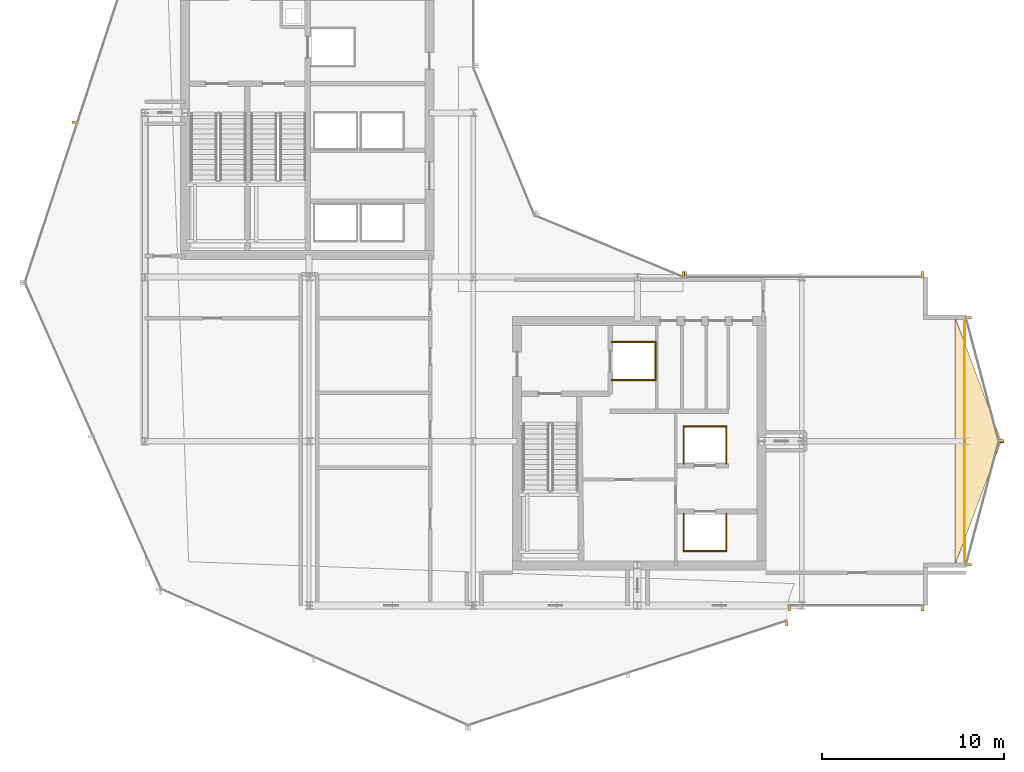
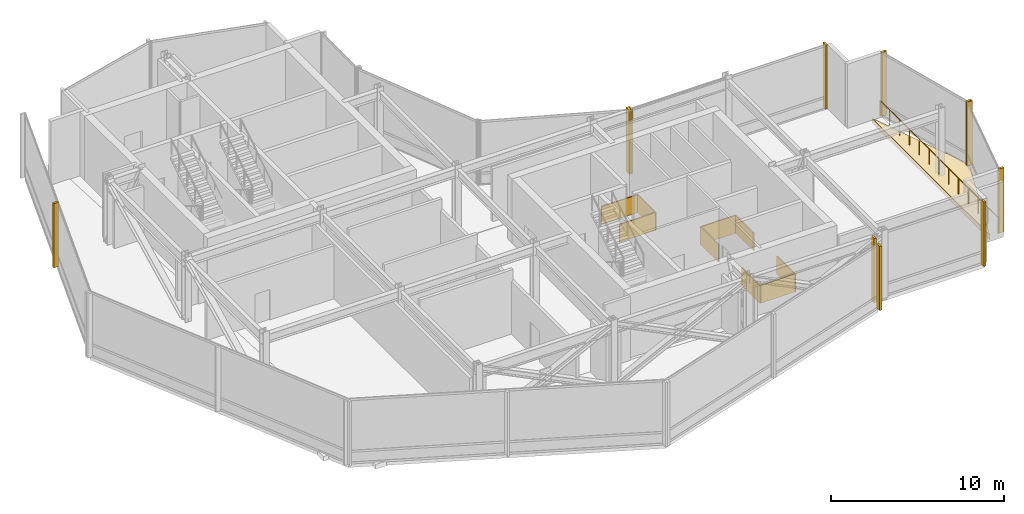
# One storey, part 29 of 30: 11 shading devices, 10 coverings, 1 railing.
"""IFC4 building model written with IfcOpenShell, lengths in metres."""

import ifcopenshell
import ifcopenshell.guid

model = None  # the IFC model being written
_history = None  # IfcOwnerHistory: only IFC2X3 demands one
_inside = {}  # id of a spatial element -> (the spatial element, [elements in it])
_under = {}  # id of a project, library or spatial element -> (it, [spatial elements below it])
_declared = {}  # id of a project -> (the project, [libraries it declares])
_typed = {}  # id of a type object -> (the type object, [elements of that type])
_made_of = {}  # id of a material, layer set ... -> (it, [elements and type objects made of it])


def new_model(schema):
    """Start an empty IFC model of exactly this schema.

    Asked for "IFC4X3", IfcOpenShell would pick the latest addendum, in which some entities
    have other attributes; the version numbers below select the first issue.
    IFC2X3 requires an IfcOwnerHistory on every rooted entity: one is made here for all.
    """
    global model, _history
    if schema == "IFC4X3":
        model = ifcopenshell.file(schema_version=(4, 3, 0, 0))
    else:
        model = ifcopenshell.file(schema=schema)
    _inside.clear()
    _under.clear()
    _declared.clear()
    _typed.clear()
    _made_of.clear()
    _history = None
    if model.schema == "IFC2X3":
        org = make("IfcOrganization", Name="unknown")
        user = make(
            "IfcPersonAndOrganization",
            ThePerson=make("IfcPerson", FamilyName="unknown"),
            TheOrganization=org,
        )
        app = make(
            "IfcApplication",
            ApplicationDeveloper=org,
            Version="unknown",
            ApplicationFullName="unknown",
            ApplicationIdentifier="unknown",
        )
        _history = make(
            "IfcOwnerHistory",
            OwningUser=user,
            OwningApplication=app,
            ChangeAction="ADDED",
            CreationDate=0,
        )
    return model


def make(cls, **values):
    """One entity of the class cls with the attributes given. An attribute that is None is left unset."""
    return model.create_entity(
        cls, **{name: value for name, value in values.items() if value is not None}
    )


def rooted(cls, **values):
    """An entity with a GlobalId (a new one), such as an element, a storey or a relation."""
    return make(cls, GlobalId=ifcopenshell.guid.new(), OwnerHistory=_history, **values)


def si_unit(unit_type, name, prefix=None):
    """IfcSIUnit, for example si_unit("LENGTHUNIT", "METRE", prefix="MILLI")."""
    return make("IfcSIUnit", UnitType=unit_type, Prefix=prefix, Name=name)


def assignment(units):
    """IfcUnitAssignment: the units of a project."""
    return None if units is None else make("IfcUnitAssignment", Units=units)


def point(xyz):
    """IfcCartesianPoint."""
    return None if xyz is None else make("IfcCartesianPoint", Coordinates=xyz)


def direction(xyz):
    """IfcDirection."""
    return None if xyz is None else make("IfcDirection", DirectionRatios=xyz)


def frame(location, z_axis=None, x_axis=None):
    """IfcAxis2Placement3D, a coordinate frame: its origin and axes. An axis left out is left unset."""
    return make(
        "IfcAxis2Placement3D",
        Location=point(location),
        Axis=direction(z_axis),
        RefDirection=direction(x_axis),
    )


def frame_2d(location, x_axis=None):
    """IfcAxis2Placement2D, a coordinate frame in the plane: its origin and x axis."""
    return make(
        "IfcAxis2Placement2D", Location=point(location), RefDirection=direction(x_axis)
    )


def origin():
    """The frame at (0, 0, 0) with its axes left unset."""
    return frame((0.0, 0.0, 0.0))


def origin_2d():
    """The frame at (0, 0) in the plane with its x axis left unset."""
    return frame_2d((0.0, 0.0))


def place(relative_to, where):
    """IfcLocalPlacement: puts the frame where relative to a parent placement (None: the world)."""
    return make(
        "IfcLocalPlacement", PlacementRelTo=relative_to, RelativePlacement=where
    )


def context(
    kind, dimensions, precision=None, world=None, true_north=None, identifier=None
):
    """IfcGeometricRepresentationContext, for example the 3D "Model" context."""
    return make(
        "IfcGeometricRepresentationContext",
        ContextIdentifier=identifier,
        ContextType=kind,
        CoordinateSpaceDimension=dimensions,
        Precision=precision,
        WorldCoordinateSystem=world,
        TrueNorth=true_north,
    )


def subcontext(parent, identifier, kind, view, scale=None):
    """IfcGeometricRepresentationSubContext, for example "Body" below "Model"."""
    return make(
        "IfcGeometricRepresentationSubContext",
        ContextIdentifier=identifier,
        ContextType=kind,
        ParentContext=parent,
        TargetScale=scale,
        TargetView=view,
    )


def project(units=None, contexts=None):
    """IfcProject with its units and contexts."""
    return rooted(
        "IfcProject",
        Name="project",
        RepresentationContexts=contexts,
        UnitsInContext=assignment(units),
    )


def spatial(cls, under=None, at=None, **own):
    """A site, building, storey or space (cls), placed at a placement, below another one or the project."""
    s = rooted(cls, ObjectPlacement=at, **own)
    if under is not None:
        _under.setdefault(under.id(), (under, []))[1].append(s)
    return s


def polyline(points):
    """IfcPolyline through the points."""
    return make("IfcPolyline", Points=[point(p) for p in points])


def profile(cls, at=None, kind="AREA", **sizes):
    """A parametric profile (cls). Its sizes go by their IFC names, for example OverallWidth=200.0."""
    return make(cls, ProfileType=kind, Position=at, **sizes)


def rectangle(**sizes):
    """IfcRectangleProfileDef."""
    return profile("IfcRectangleProfileDef", **sizes)


def circle(**sizes):
    """IfcCircleProfileDef."""
    return profile("IfcCircleProfileDef", **sizes)


def outline(outer, holes=None, kind="AREA"):
    """IfcArbitraryClosedProfileDef: a profile drawn as a closed curve; with holes, ...WithVoids."""
    if holes is None:
        return make("IfcArbitraryClosedProfileDef", ProfileType=kind, OuterCurve=outer)
    return make(
        "IfcArbitraryProfileDefWithVoids",
        ProfileType=kind,
        OuterCurve=outer,
        InnerCurves=holes,
    )


def extrude(swept, where, along, depth):
    """IfcExtrudedAreaSolid: the profile swept, set in the frame where, extruded along a direction by depth."""
    return make(
        "IfcExtrudedAreaSolid",
        SweptArea=swept,
        Position=where,
        ExtrudedDirection=direction(along),
        Depth=depth,
    )


def shape(context_of_items, identifier, shape_type, items):
    """IfcShapeRepresentation: the items that make up one representation, for example the "Body"."""
    return make(
        "IfcShapeRepresentation",
        ContextOfItems=context_of_items,
        RepresentationIdentifier=identifier,
        RepresentationType=shape_type,
        Items=items,
    )


def material(Name=None, Category=None):
    """IfcMaterial."""
    return make("IfcMaterial", Name=Name, Category=Category)


def layer(
    of_material, thickness, ventilated=None, Name=None, Category=None, Priority=None
):
    """IfcMaterialLayer: one layer of a wall or slab, of a material (None: an air gap)."""
    return make(
        "IfcMaterialLayer",
        Material=of_material,
        LayerThickness=thickness,
        IsVentilated=ventilated,
        Name=Name,
        Category=Category,
        Priority=Priority,
    )


def layer_set(layers, Name=None):
    """IfcMaterialLayerSet."""
    return make("IfcMaterialLayerSet", MaterialLayers=layers, LayerSetName=Name)


def made_of(thing, what):
    """Note that an element or type object is made of a material, layer set ...; save() writes the relation."""
    if what is not None:
        _made_of.setdefault(what.id(), (what, []))[1].append(thing)
    return thing


def type_object(cls, material=None, **own):
    """A type object (cls), such as IfcWallType, which elements share."""
    return made_of(rooted(cls, **own), material)


def element(
    cls,
    number,
    at=None,
    inside=None,
    cuts=None,
    type_object=None,
    material=None,
    context=None,
    identifier="Body",
    shape_type=None,
    held_by="IfcProductDefinitionShape",
    body=None,
    shapes=None,
    **own,
):
    """One element of the class cls, such as IfcWall. Its Tag is "e" and its number.

    at: its placement. inside: the storey or other place that contains it. cuts: it is an
    opening in that element (IfcRelVoidsElement). A single representation is given by context,
    identifier, shape_type and body (its items); several are given by shapes. held_by: the class
    of the entity that holds the representations. save() writes the other relations.
    """
    e = rooted(cls, Tag="e%d" % number, ObjectPlacement=at, **own)
    if body is not None:
        shapes = [shape(context, identifier, shape_type, body)]
    if shapes is not None:
        e.Representation = make(held_by, Representations=shapes)
    if inside is not None:
        _inside.setdefault(inside.id(), (inside, []))[1].append(e)
    if cuts is not None:
        rooted(
            "IfcRelVoidsElement", RelatingBuildingElement=cuts, RelatedOpeningElement=e
        )
    if type_object is not None:
        _typed.setdefault(type_object.id(), (type_object, []))[1].append(e)
    return made_of(e, material)


def aggregate(whole, parts):
    """IfcRelAggregates: a whole, such as a stair, and the parts it consists of."""
    return rooted("IfcRelAggregates", RelatingObject=whole, RelatedObjects=parts)


def save(model, path):
    """Write the relations noted so far, then the file.

    IfcRelAggregates (storeys below a building ...), IfcRelContainedInSpatialStructure (elements
    in a storey), IfcRelDefinesByType, IfcRelAssociatesMaterial and IfcRelDeclares: one each for
    every whole, place, type object, material and project.
    """
    for whole, parts in _under.values():
        aggregate(whole, parts)
    for where, things in _inside.values():
        rooted(
            "IfcRelContainedInSpatialStructure",
            RelatedElements=things,
            RelatingStructure=where,
        )
    for kind, things in _typed.values():
        rooted("IfcRelDefinesByType", RelatedObjects=things, RelatingType=kind)
    for what, things in _made_of.values():
        rooted("IfcRelAssociatesMaterial", RelatedObjects=things, RelatingMaterial=what)
    for by, libraries in _declared.values():
        rooted("IfcRelDeclares", RelatingContext=by, RelatedDefinitions=libraries)
    model.write(path)


model = new_model("IFC4")

# Units and contexts
model_context = context("Model", 3, precision=1e-05, world=origin(), true_north=direction((0.0, 1.0)))
body_context = subcontext(model_context, "Body", "Model", "MODEL_VIEW")
ifc_project = project(units=[si_unit("LENGTHUNIT", "METRE"), si_unit("AREAUNIT", "SQUARE_METRE"), si_unit("VOLUMEUNIT", "CUBIC_METRE"), si_unit("PLANEANGLEUNIT", "RADIAN"), si_unit("MASSUNIT", "GRAM", prefix="KILO")], contexts=[model_context])

# Site, building, storey
site_placement = place(None, origin())
site = spatial("IfcSite", under=ifc_project, at=site_placement, CompositionType="ELEMENT")
building_placement = place(site_placement, origin())
building = spatial("IfcBuilding", under=site, at=building_placement, Name="Solvaryn Broadcast Tower", CompositionType="ELEMENT")
storey_placement = place(building_placement, frame((0.0, 0.0, 196.39990234375)))
storey = spatial("IfcBuildingStorey", under=building, at=storey_placement, Name="L49", CompositionType="ELEMENT", Elevation=196.39990234375)

# Coverings
ifc_material_1 = material(Name="Fire-Rated Gypsum Shaftwall Liner", Category="concrete")
ifc_layer_1 = layer(ifc_material_1, 0.080078125)
ifc_layer_set_1 = layer_set([ifc_layer_1], Name="CV-SHAFT-LINER")
covering_type_1 = type_object("IfcCoveringType", Name="CV-SHAFT-LINER", PredefinedType="CLADDING", material=ifc_layer_set_1)
for number, where, z_axis, x_axis, name in (
    (1, (35.800048828125, 23.43994140625, 0.0), (0.0, 0.0, 1.0), (1.0, 0.0, 0.0), "L49 FL2 Hoistway Shaft Liner North"),
    (2, (35.800048828125, 21.360107421875, 0.0), (0.0, 0.0, 1.0), (1.0, 0.0, 0.0), "L49 FL2 Hoistway Shaft Liner South"),
):
    element("IfcCovering", number, at=place(storey_placement, frame(where, z_axis=z_axis, x_axis=x_axis)), inside=storey, type_object=covering_type_1, Name=name, PredefinedType="CLADDING", context=body_context, shape_type="SweptSolid", body=[
        extrude(rectangle(XDim=2.4599609375, YDim=0.080078125, at=origin_2d()), origin(), (0.0, 0.0, 1.0), 1.25),
    ])
covering_1_placement = place(storey_placement, frame((36.989990234375, 22.39990234375, 0.0), z_axis=(0.0, 0.0, 1.0), x_axis=(1.0, 0.0, 0.0)))
element("IfcCovering", 3, at=covering_1_placement, inside=storey, type_object=covering_type_1, Name="L49 FL2 Hoistway Shaft Liner East", PredefinedType="CLADDING", context=body_context, shape_type="SweptSolid", body=[
    extrude(rectangle(XDim=0.080078125, YDim=2.159912109375, at=origin_2d()), origin(), (0.0, 0.0, 1.0), 1.25),
])
covering_2_placement = place(storey_placement, frame((39.699951171875, 11.985107421875, 0.0), z_axis=(0.0, 0.0, 1.0), x_axis=(1.0, 0.0, 0.0)))
element("IfcCovering", 4, at=covering_2_placement, inside=storey, type_object=covering_type_1, Name="L49 PM1 Hoistway Shaft Liner South", PredefinedType="CLADDING", context=body_context, shape_type="SweptSolid", body=[
    extrude(rectangle(XDim=2.409912109375, YDim=0.080078125, at=origin_2d()), origin(), (0.0, 0.0, 1.0), 1.25),
])
for number, where, z_axis, x_axis, name in (
    (5, (40.864990234375, 13.0, 0.0), (0.0, 0.0, 1.0), (1.0, 0.0, 0.0), "L49 PM1 Hoistway Shaft Liner East"),
    (6, (38.534912109375, 13.0, 0.0), (0.0, 0.0, 1.0), (1.0, 0.0, 0.0), "L49 PM1 Hoistway Shaft Liner West"),
):
    element("IfcCovering", number, at=place(storey_placement, frame(where, z_axis=z_axis, x_axis=x_axis)), inside=storey, type_object=covering_type_1, Name=name, PredefinedType="CLADDING", context=body_context, shape_type="SweptSolid", body=[
        extrude(rectangle(XDim=0.080078125, YDim=2.110107421875, at=origin_2d()), origin(), (0.0, 0.0, 1.0), 1.25),
    ])
covering_3_placement = place(storey_placement, frame((39.699951171875, 18.81494140625, 0.0), z_axis=(0.0, 0.0, 1.0), x_axis=(1.0, 0.0, 0.0)))
element("IfcCovering", 7, at=covering_3_placement, inside=storey, type_object=covering_type_1, Name="L49 PM2 Hoistway Shaft Liner North", PredefinedType="CLADDING", context=body_context, shape_type="SweptSolid", body=[
    extrude(rectangle(XDim=2.409912109375, YDim=0.080078125, at=origin_2d()), origin(), (0.0, 0.0, 1.0), 1.25),
])
for number, where, z_axis, x_axis, name in (
    (8, (40.864990234375, 17.800048828125, 0.0), (0.0, 0.0, 1.0), (1.0, 0.0, 0.0), "L49 PM2 Hoistway Shaft Liner East"),
    (9, (38.534912109375, 17.800048828125, 0.0), (0.0, 0.0, 1.0), (1.0, 0.0, 0.0), "L49 PM2 Hoistway Shaft Liner West"),
):
    element("IfcCovering", number, at=place(storey_placement, frame(where, z_axis=z_axis, x_axis=x_axis)), inside=storey, type_object=covering_type_1, Name=name, PredefinedType="CLADDING", context=body_context, shape_type="SweptSolid", body=[
        extrude(rectangle(XDim=0.080078125, YDim=2.110107421875, at=origin_2d()), origin(), (0.0, 0.0, 1.0), 1.25),
    ])
ifc_material_2 = material(Name="Sculpted Architectural Terracotta Wave Fascia", Category="masonry")
ifc_layer_2 = layer(ifc_material_2, 0.340087890625)
ifc_layer_set_2 = layer_set([ifc_layer_2], Name="CV-WAVE-TRAY")
covering_type_2 = type_object("IfcCoveringType", Name="CV-WAVE-TRAY", PredefinedType="CLADDING", material=ifc_layer_set_2)
covering_4_placement = place(storey_placement, frame((0.0, 0.0, -0.2998046875)))
element("IfcCovering", 10, at=covering_4_placement, inside=storey, type_object=covering_type_2, Name="L49 East Curved Wing Deck", PredefinedType="CLADDING", context=body_context, shape_type="SweptSolid", body=[
    extrude(outline(polyline([(53.39990234375, 11.199951171875), (55.949951171875, 18.0), (53.39990234375, 24.800048828125), (53.39990234375, 11.199951171875)])), origin(), (0.0, 0.0, 1.0), 0.329833984375),
])

# Railing
ifc_material_3 = material(Name="Stainless Steel and Laminated Glass Guard", Category="steel")
railing_type = type_object("IfcRailingType", Name="RL-TER-1150", PredefinedType="BALUSTRADE", material=ifc_material_3)
railing_placement = place(storey_placement, frame((53.919921875, 11.199951171875, 0.0)))
element("IfcRailing", 11, at=railing_placement, inside=storey, type_object=railing_type, Name="L49 East Wing Spandrel Edge Guard", PredefinedType="BALUSTRADE", context=body_context, shape_type="SweptSolid", body=[
    extrude(circle(Radius=0.02392578125, at=origin_2d()), frame((0.0, 0.0, 1.1259765625), z_axis=(0.0, 1.0, 0.0), x_axis=(-1.0, 0.0, 0.0)), (0.0, 0.0, 1.0), 13.60009765625),
    extrude(circle(Radius=0.02099609375, at=origin_2d()), origin(), (0.0, 0.0, 1.0), 1.101806640625),
    extrude(circle(Radius=0.02099609375, at=origin_2d()), frame((0.0, 1.13330078125, 0.0)), (0.0, 0.0, 1.0), 1.101806640625),
    extrude(circle(Radius=0.02099609375, at=origin_2d()), frame((0.0, 2.2666015625, 0.0)), (0.0, 0.0, 1.0), 1.101806640625),
    extrude(circle(Radius=0.02099609375, at=origin_2d()), frame((0.0, 3.39990234375, 0.0)), (0.0, 0.0, 1.0), 1.101806640625),
    extrude(circle(Radius=0.02099609375, at=origin_2d()), frame((0.0, 4.533447265625, 0.0)), (0.0, 0.0, 1.0), 1.101806640625),
    extrude(circle(Radius=0.02099609375, at=origin_2d()), frame((0.0, 5.666748046875, 0.0)), (0.0, 0.0, 1.0), 1.101806640625),
    extrude(circle(Radius=0.02099609375, at=origin_2d()), frame((0.0, 6.800048828125, 0.0)), (0.0, 0.0, 1.0), 1.101806640625),
    extrude(circle(Radius=0.02099609375, at=origin_2d()), frame((0.0, 7.933349609375, 0.0)), (0.0, 0.0, 1.0), 1.101806640625),
    extrude(circle(Radius=0.02099609375, at=origin_2d()), frame((0.0, 9.066650390625, 0.0)), (0.0, 0.0, 1.0), 1.101806640625),
    extrude(circle(Radius=0.02099609375, at=origin_2d()), frame((0.0, 10.2001953125, 0.0)), (0.0, 0.0, 1.0), 1.101806640625),
    extrude(circle(Radius=0.02099609375, at=origin_2d()), frame((0.0, 11.33349609375, 0.0)), (0.0, 0.0, 1.0), 1.101806640625),
    extrude(circle(Radius=0.02099609375, at=origin_2d()), frame((0.0, 12.466796875, 0.0)), (0.0, 0.0, 1.0), 1.101806640625),
    extrude(circle(Radius=0.02099609375, at=origin_2d()), frame((0.0, 13.60009765625, 0.0)), (0.0, 0.0, 1.0), 1.101806640625),
])

# Shading devices
ifc_material_4 = material(Name="Anodised Aluminium Acoustic Louvre", Category="aluminium")
shading_device_type = type_object("IfcShadingDeviceType", Name="LV-01 Plant Intake Louvre", PredefinedType="USERDEFINED", material=ifc_material_4)
shading_device_placement = place(storey_placement, frame((5.18408203125, 35.4814453125, 0.0), z_axis=(0.0, 0.0, 1.0), x_axis=(1.0, 0.0, 0.0)))
element("IfcShadingDevice", 12, at=shading_device_placement, inside=storey, type_object=shading_device_type, Name="L49 Plant Acoustic Louvre LV-CW-L49-DR1/M01", ObjectType="LOUVRE", PredefinedType="USERDEFINED", context=body_context, shape_type="SweptSolid", body=[
    extrude(rectangle(XDim=0.340087890625, YDim=0.139892578125, at=origin_2d()), origin(), (0.0, 0.0, 1.0), 4.52001953125),
])
for number, where, z_axis, x_axis, name in (
    (13, (44.19091796875, 8.039794921875, 0.0), (0.0, 0.0, 1.0), (1.0, 0.0, 0.0), "L49 Plant Acoustic Louvre LV-CW-L49-DR4/M02"),
    (14, (38.518310546875, 27.12255859375, 0.0), (0.0, 0.0, 1.0), (1.0, 0.0, 0.0), "L49 Plant Acoustic Louvre LV-CW-L49-CN1/M00"),
    (15, (44.31201171875, 8.875, 0.0), (0.0, 0.0, 1.0), (1.0, 0.0, 0.0), "L49 Plant Acoustic Louvre LV-CW-L49-S2/M00"),
    (16, (51.6201171875, 8.875, 0.0), (0.0, 0.0, 1.0), (1.0, 0.0, 0.0), "L49 Plant Acoustic Louvre LV-CW-L49-S2/M01"),
):
    element("IfcShadingDevice", number, at=place(storey_placement, frame(where, z_axis=z_axis, x_axis=x_axis)), inside=storey, type_object=shading_device_type, Name=name, ObjectType="LOUVRE", PredefinedType="USERDEFINED", context=body_context, shape_type="SweptSolid", body=[
        extrude(rectangle(XDim=0.139892578125, YDim=0.340087890625, at=origin_2d()), origin(), (0.0, 0.0, 1.0), 4.52001953125),
    ])
for number, where, z_axis, x_axis, name in (
    (17, (54.1328125, 24.77099609375, 0.0), (0.0, 0.0, 1.0), (1.0, 0.0, 0.0), "L49 Plant Acoustic Louvre LV-CW-L49-ET1/M00"),
    (18, (55.917236328125, 18.029052734375, 0.0), (0.0, 0.0, 1.0), (1.0, 0.0, 0.0), "L49 Plant Acoustic Louvre LV-CW-L49-ET1/M01"),
    (19, (55.917236328125, 17.970947265625, 0.0), (0.0, 0.0, 1.0), (1.0, 0.0, 0.0), "L49 Plant Acoustic Louvre LV-CW-L49-ET2/M00"),
    (20, (54.1328125, 11.22900390625, 0.0), (0.0, 0.0, 1.0), (1.0, 0.0, 0.0), "L49 Plant Acoustic Louvre LV-CW-L49-ET2/M01"),
):
    element("IfcShadingDevice", number, at=place(storey_placement, frame(where, z_axis=z_axis, x_axis=x_axis)), inside=storey, type_object=shading_device_type, Name=name, ObjectType="LOUVRE", PredefinedType="USERDEFINED", context=body_context, shape_type="SweptSolid", body=[
        extrude(rectangle(XDim=0.340087890625, YDim=0.139892578125, at=origin_2d()), origin(), (0.0, 0.0, 1.0), 4.52001953125),
    ])
for number, where, z_axis, x_axis, name in (
    (21, (38.6298828125, 27.125, 0.0), (0.0, 0.0, 1.0), (1.0, 0.0, 0.0), "L49 Plant Acoustic Louvre LV-CW-L49-IH/M00"),
    (22, (51.6201171875, 27.125, 0.0), (0.0, 0.0, 1.0), (1.0, 0.0, 0.0), "L49 Plant Acoustic Louvre LV-CW-L49-IH/M01"),
):
    element("IfcShadingDevice", number, at=place(storey_placement, frame(where, z_axis=z_axis, x_axis=x_axis)), inside=storey, type_object=shading_device_type, Name=name, ObjectType="LOUVRE", PredefinedType="USERDEFINED", context=body_context, shape_type="SweptSolid", body=[
        extrude(rectangle(XDim=0.139892578125, YDim=0.340087890625, at=origin_2d()), origin(), (0.0, 0.0, 1.0), 4.52001953125),
    ])

save(model, "model.ifc")
